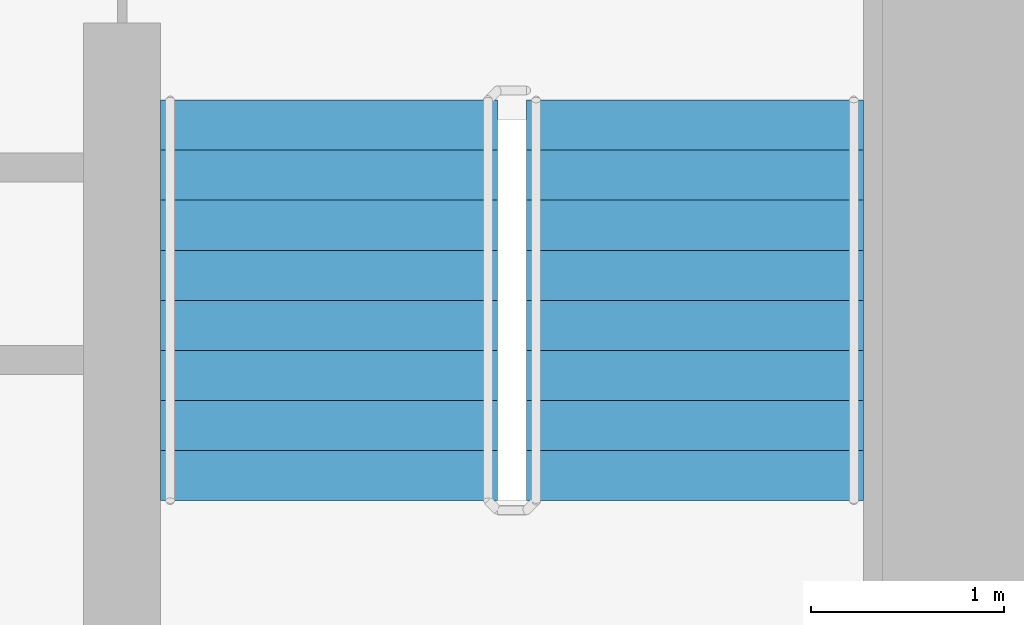
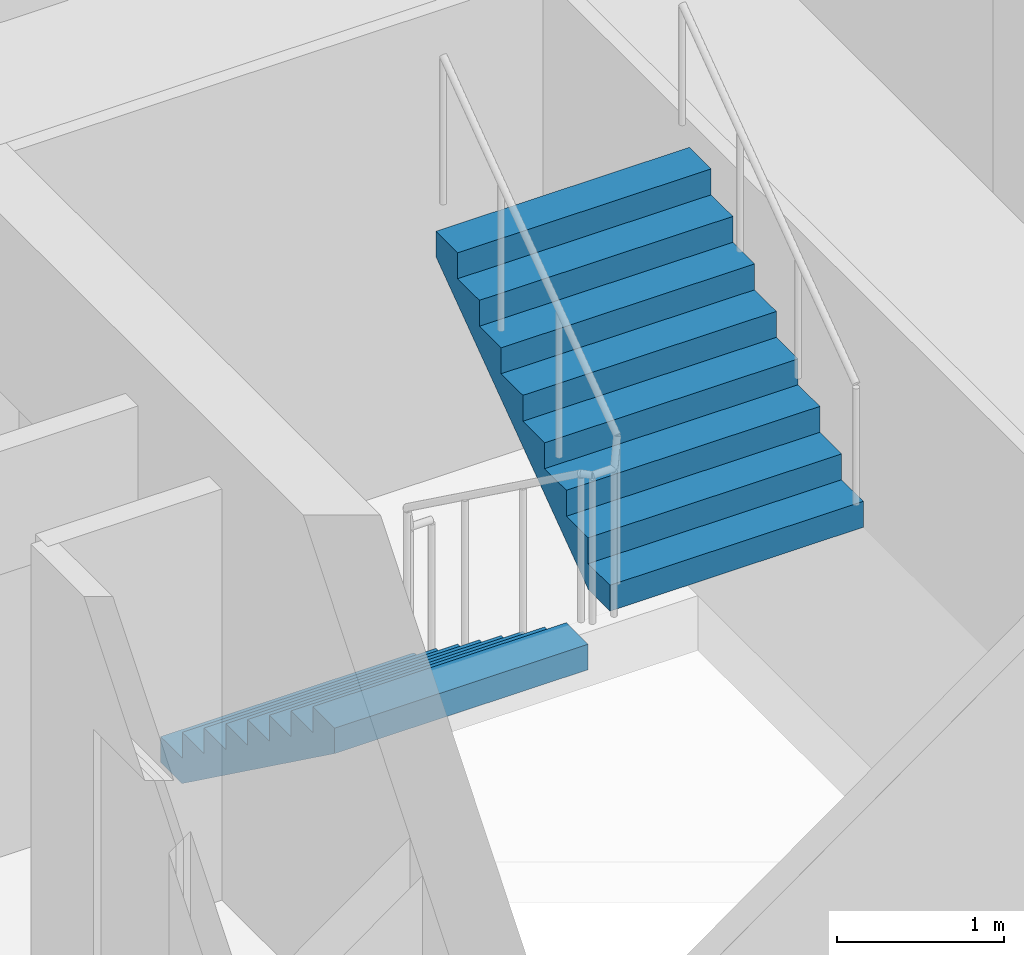
# One storey, part 19 of 23: 2 stair flights, 1 element without a shape of its own.
"""IFC4 building model written with IfcOpenShell, lengths in metres."""

from ifc_helpers import new_model, si_unit, direction, frame, origin, place, context, subcontext, project, spatial, faceted_brep, material, type_object, element, aggregate, save


model = new_model("IFC4")

# Units and contexts
model_context = context("Model", 3, precision=1e-05, world=origin(), true_north=direction((0.0, 1.0)))
body_context = subcontext(model_context, "Body", "Model", "MODEL_VIEW")
ifc_project = project(units=[si_unit("LENGTHUNIT", "METRE"), si_unit("AREAUNIT", "SQUARE_METRE"), si_unit("VOLUMEUNIT", "CUBIC_METRE"), si_unit("PLANEANGLEUNIT", "RADIAN"), si_unit("MASSUNIT", "GRAM", prefix="KILO")], contexts=[model_context])

# Site, building, storey
site_placement = place(None, origin())
site = spatial("IfcSite", under=ifc_project, at=site_placement, CompositionType="ELEMENT")
building_placement = place(site_placement, origin())
building = spatial("IfcBuilding", under=site, at=building_placement, Name="Ipe Terrace Towers", CompositionType="ELEMENT")
storey_placement = place(building_placement, frame((0.0, 0.0, 51.699951171875)))
storey = spatial("IfcBuildingStorey", under=building, at=storey_placement, Name="L13", CompositionType="ELEMENT", Elevation=51.699951171875)

# Stair, stair flights
ifc_material_1 = material(Name="Concrete C30/37", Category="concrete")
stair_type = type_object("IfcStairType", Name="Protected exit stair", PredefinedType="HALF_TURN_STAIR", material=ifc_material_1)
stair_placement = place(storey_placement, origin())
stair = element("IfcStair", 1, at=stair_placement, inside=storey, type_object=stair_type, Name="L13 Exit stair T2-C2", PredefinedType="HALF_TURN_STAIR")
ifc_material_2 = material(Name="Concrete C30/37", Category="concrete")
stair_flight_type = type_object("IfcStairFlightType", Name="Exit stair flight 1750", PredefinedType="STRAIGHT", material=ifc_material_2)
stair_flight_1_placement = place(storey_placement, frame((38.77490234375, -9.699951171875, 0.0), z_axis=(0.0, 0.0, 1.0), x_axis=(0.0, -1.0, 0.0)))
stair_flight_1 = element("IfcStairFlight", 2, at=stair_flight_1_placement, type_object=stair_flight_type, Name="T2-ST2 flight 1", NumberOfRisers=9, NumberOfTreads=8, PredefinedType="STRAIGHT", RiserHeight=0.188888889, TreadLength=0.26, context=body_context, shape_type="Brep", body=[
    faceted_brep([(0.255126953125, -0.875, 0.0), (2.080078125, -0.875, 1.325927734375), (2.080078125, -0.875, 1.51123046875), (1.820068359375, -0.875, 1.51123046875), (1.820068359375, -0.875, 1.322265625), (1.56005859375, -0.875, 1.322265625), (1.56005859375, -0.875, 1.13330078125), (1.300048828125, -0.875, 1.13330078125), (1.300048828125, -0.875, 0.9443359375), (1.0400390625, -0.875, 0.9443359375), (1.0400390625, -0.875, 0.755615234375), (0.780029296875, -0.875, 0.755615234375), (0.780029296875, -0.875, 0.566650390625), (0.52001953125, -0.875, 0.566650390625), (0.52001953125, -0.875, 0.377685546875), (0.260009765625, -0.875, 0.377685546875), (0.260009765625, -0.875, 0.18896484375), (0.0, -0.875, 0.18896484375), (0.0, -0.875, 0.0), (0.0, 0.875, 0.0), (0.0, 0.875, 0.18896484375), (0.260009765625, 0.875, 0.18896484375), (0.260009765625, 0.875, 0.377685546875), (0.52001953125, 0.875, 0.377685546875), (0.52001953125, 0.875, 0.566650390625), (0.780029296875, 0.875, 0.566650390625), (0.780029296875, 0.875, 0.755615234375), (1.0400390625, 0.875, 0.755615234375), (1.0400390625, 0.875, 0.9443359375), (1.300048828125, 0.875, 0.9443359375), (1.300048828125, 0.875, 1.13330078125), (1.56005859375, 0.875, 1.13330078125), (1.56005859375, 0.875, 1.322265625), (1.820068359375, 0.875, 1.322265625), (1.820068359375, 0.875, 1.51123046875), (2.080078125, 0.875, 1.51123046875), (2.080078125, 0.875, 1.325927734375), (0.255126953125, 0.875, 0.0), (0.0, -0.300048828125, 0.18896484375), (0.0, -0.1201171875, 0.18896484375), (0.0, -0.06005859375, 0.18896484375), (0.0, -0.030029296875, 0.18896484375), (0.0, -0.010009765625, 0.18896484375), (0.0, 0.0, 0.18896484375), (0.0, 0.010009765625, 0.18896484375), (0.0, 0.030029296875, 0.18896484375), (0.0, 0.06005859375, 0.18896484375), (0.0, 0.1201171875, 0.18896484375), (0.0, 0.300048828125, 0.18896484375), (0.0, 0.300048828125, 0.0), (0.0, 0.1201171875, 0.0), (0.0, 0.06005859375, 0.0), (0.0, 0.030029296875, 0.0), (0.0, 0.010009765625, 0.0), (0.0, 0.0, 0.0), (0.0, -0.010009765625, 0.0), (0.0, -0.030029296875, 0.0), (0.0, -0.06005859375, 0.0), (0.0, -0.1201171875, 0.0), (0.0, -0.300048828125, 0.0), (0.260009765625, -0.300048828125, 0.18896484375), (0.260009765625, -0.1201171875, 0.18896484375), (0.260009765625, -0.06005859375, 0.18896484375), (0.260009765625, -0.030029296875, 0.18896484375), (0.260009765625, -0.010009765625, 0.18896484375), (0.260009765625, 0.0, 0.18896484375), (0.260009765625, 0.010009765625, 0.18896484375), (0.260009765625, 0.030029296875, 0.18896484375), (0.260009765625, 0.06005859375, 0.18896484375), (0.260009765625, 0.1201171875, 0.18896484375), (0.260009765625, 0.300048828125, 0.18896484375), (0.260009765625, -0.300048828125, 0.377685546875), (0.260009765625, -0.1201171875, 0.377685546875), (0.260009765625, -0.06005859375, 0.377685546875), (0.260009765625, -0.030029296875, 0.377685546875), (0.260009765625, -0.010009765625, 0.377685546875), (0.260009765625, 0.0, 0.377685546875), (0.260009765625, 0.010009765625, 0.377685546875), (0.260009765625, 0.030029296875, 0.377685546875), (0.260009765625, 0.06005859375, 0.377685546875), (0.260009765625, 0.1201171875, 0.377685546875), (0.260009765625, 0.300048828125, 0.377685546875), (0.52001953125, -0.300048828125, 0.377685546875), (0.52001953125, -0.1201171875, 0.377685546875), (0.52001953125, -0.06005859375, 0.377685546875), (0.52001953125, -0.030029296875, 0.377685546875), (0.52001953125, -0.010009765625, 0.377685546875), (0.52001953125, 0.0, 0.377685546875), (0.52001953125, 0.010009765625, 0.377685546875), (0.52001953125, 0.030029296875, 0.377685546875), (0.52001953125, 0.06005859375, 0.377685546875), (0.52001953125, 0.1201171875, 0.377685546875), (0.52001953125, 0.300048828125, 0.377685546875), (0.52001953125, -0.300048828125, 0.566650390625), (0.52001953125, -0.1201171875, 0.566650390625), (0.52001953125, -0.06005859375, 0.566650390625), (0.52001953125, -0.030029296875, 0.566650390625), (0.52001953125, -0.010009765625, 0.566650390625), (0.52001953125, 0.0, 0.566650390625), (0.52001953125, 0.010009765625, 0.566650390625), (0.52001953125, 0.030029296875, 0.566650390625), (0.52001953125, 0.06005859375, 0.566650390625), (0.52001953125, 0.1201171875, 0.566650390625), (0.52001953125, 0.300048828125, 0.566650390625), (0.780029296875, -0.300048828125, 0.566650390625), (0.780029296875, -0.1201171875, 0.566650390625), (0.780029296875, -0.06005859375, 0.566650390625), (0.780029296875, -0.030029296875, 0.566650390625), (0.780029296875, -0.010009765625, 0.566650390625), (0.780029296875, 0.0, 0.566650390625), (0.780029296875, 0.010009765625, 0.566650390625), (0.780029296875, 0.030029296875, 0.566650390625), (0.780029296875, 0.06005859375, 0.566650390625), (0.780029296875, 0.1201171875, 0.566650390625), (0.780029296875, 0.300048828125, 0.566650390625), (0.780029296875, -0.300048828125, 0.755615234375), (0.780029296875, -0.1201171875, 0.755615234375), (0.780029296875, -0.06005859375, 0.755615234375), (0.780029296875, -0.030029296875, 0.755615234375), (0.780029296875, -0.010009765625, 0.755615234375), (0.780029296875, 0.0, 0.755615234375), (0.780029296875, 0.010009765625, 0.755615234375), (0.780029296875, 0.030029296875, 0.755615234375), (0.780029296875, 0.06005859375, 0.755615234375), (0.780029296875, 0.1201171875, 0.755615234375), (0.780029296875, 0.300048828125, 0.755615234375), (1.0400390625, -0.300048828125, 0.755615234375), (1.0400390625, -0.1201171875, 0.755615234375), (1.0400390625, -0.06005859375, 0.755615234375), (1.0400390625, -0.030029296875, 0.755615234375), (1.0400390625, -0.010009765625, 0.755615234375), (1.0400390625, 0.0, 0.755615234375), (1.0400390625, 0.010009765625, 0.755615234375), (1.0400390625, 0.030029296875, 0.755615234375), (1.0400390625, 0.06005859375, 0.755615234375), (1.0400390625, 0.1201171875, 0.755615234375), (1.0400390625, 0.300048828125, 0.755615234375), (1.0400390625, -0.300048828125, 0.9443359375), (1.0400390625, -0.1201171875, 0.9443359375), (1.0400390625, -0.06005859375, 0.9443359375), (1.0400390625, -0.030029296875, 0.9443359375), (1.0400390625, -0.010009765625, 0.9443359375), (1.0400390625, 0.0, 0.9443359375), (1.0400390625, 0.010009765625, 0.9443359375), (1.0400390625, 0.030029296875, 0.9443359375), (1.0400390625, 0.06005859375, 0.9443359375), (1.0400390625, 0.1201171875, 0.9443359375), (1.0400390625, 0.300048828125, 0.9443359375), (1.300048828125, -0.300048828125, 0.9443359375), (1.300048828125, -0.1201171875, 0.9443359375), (1.300048828125, -0.06005859375, 0.9443359375), (1.300048828125, -0.030029296875, 0.9443359375), (1.300048828125, -0.010009765625, 0.9443359375), (1.300048828125, 0.0, 0.9443359375), (1.300048828125, 0.010009765625, 0.9443359375), (1.300048828125, 0.030029296875, 0.9443359375), (1.300048828125, 0.06005859375, 0.9443359375), (1.300048828125, 0.1201171875, 0.9443359375), (1.300048828125, 0.300048828125, 0.9443359375), (1.300048828125, -0.300048828125, 1.13330078125), (1.300048828125, -0.1201171875, 1.13330078125), (1.300048828125, -0.06005859375, 1.13330078125), (1.300048828125, -0.030029296875, 1.13330078125), (1.300048828125, -0.010009765625, 1.13330078125), (1.300048828125, 0.0, 1.13330078125), (1.300048828125, 0.010009765625, 1.13330078125), (1.300048828125, 0.030029296875, 1.13330078125), (1.300048828125, 0.06005859375, 1.13330078125), (1.300048828125, 0.1201171875, 1.13330078125), (1.300048828125, 0.300048828125, 1.13330078125), (1.56005859375, -0.300048828125, 1.13330078125), (1.56005859375, -0.1201171875, 1.13330078125), (1.56005859375, -0.06005859375, 1.13330078125), (1.56005859375, -0.030029296875, 1.13330078125), (1.56005859375, -0.010009765625, 1.13330078125), (1.56005859375, 0.0, 1.13330078125), (1.56005859375, 0.010009765625, 1.13330078125), (1.56005859375, 0.030029296875, 1.13330078125), (1.56005859375, 0.06005859375, 1.13330078125), (1.56005859375, 0.1201171875, 1.13330078125), (1.56005859375, 0.300048828125, 1.13330078125), (1.56005859375, -0.300048828125, 1.322265625), (1.56005859375, -0.1201171875, 1.322265625), (1.56005859375, -0.06005859375, 1.322265625), (1.56005859375, -0.030029296875, 1.322265625), (1.56005859375, -0.010009765625, 1.322265625), (1.56005859375, 0.0, 1.322265625), (1.56005859375, 0.010009765625, 1.322265625), (1.56005859375, 0.030029296875, 1.322265625), (1.56005859375, 0.06005859375, 1.322265625), (1.56005859375, 0.1201171875, 1.322265625), (1.56005859375, 0.300048828125, 1.322265625), (1.820068359375, -0.300048828125, 1.322265625), (1.820068359375, -0.1201171875, 1.322265625), (1.820068359375, -0.06005859375, 1.322265625), (1.820068359375, -0.030029296875, 1.322265625), (1.820068359375, -0.010009765625, 1.322265625), (1.820068359375, 0.0, 1.322265625), (1.820068359375, 0.010009765625, 1.322265625), (1.820068359375, 0.030029296875, 1.322265625), (1.820068359375, 0.06005859375, 1.322265625), (1.820068359375, 0.1201171875, 1.322265625), (1.820068359375, 0.300048828125, 1.322265625), (1.820068359375, -0.300048828125, 1.51123046875), (1.820068359375, -0.1201171875, 1.51123046875), (1.820068359375, -0.06005859375, 1.51123046875), (1.820068359375, -0.030029296875, 1.51123046875), (1.820068359375, -0.010009765625, 1.51123046875), (1.820068359375, 0.0, 1.51123046875), (1.820068359375, 0.010009765625, 1.51123046875), (1.820068359375, 0.030029296875, 1.51123046875), (1.820068359375, 0.06005859375, 1.51123046875), (1.820068359375, 0.1201171875, 1.51123046875), (1.820068359375, 0.300048828125, 1.51123046875), (2.080078125, -0.300048828125, 1.51123046875), (2.080078125, -0.1201171875, 1.51123046875), (2.080078125, -0.06005859375, 1.51123046875), (2.080078125, -0.030029296875, 1.51123046875), (2.080078125, -0.010009765625, 1.51123046875), (2.080078125, 0.0, 1.51123046875), (2.080078125, 0.010009765625, 1.51123046875), (2.080078125, 0.030029296875, 1.51123046875), (2.080078125, 0.06005859375, 1.51123046875), (2.080078125, 0.1201171875, 1.51123046875), (2.080078125, 0.300048828125, 1.51123046875), (2.080078125, -0.300048828125, 1.325927734375), (2.080078125, -0.1201171875, 1.325927734375), (2.080078125, -0.06005859375, 1.325927734375), (2.080078125, -0.030029296875, 1.325927734375), (2.080078125, -0.010009765625, 1.325927734375), (2.080078125, 0.0, 1.325927734375), (2.080078125, 0.010009765625, 1.325927734375), (2.080078125, 0.030029296875, 1.325927734375), (2.080078125, 0.06005859375, 1.325927734375), (2.080078125, 0.1201171875, 1.325927734375), (2.080078125, 0.300048828125, 1.325927734375), (0.255126953125, -0.300048828125, 0.0), (0.255126953125, -0.1201171875, 0.0), (0.255126953125, -0.06005859375, 0.0), (0.255126953125, -0.030029296875, 0.0), (0.255126953125, -0.010009765625, 0.0), (0.255126953125, 0.0, 0.0), (0.255126953125, 0.010009765625, 0.0), (0.255126953125, 0.030029296875, 0.0), (0.255126953125, 0.06005859375, 0.0), (0.255126953125, 0.1201171875, 0.0), (0.255126953125, 0.300048828125, 0.0)], [[[0, 1, 2, 3, 4, 5, 6, 7, 8, 9, 10, 11, 12, 13, 14, 15, 16, 17, 18]], [[19, 20, 21, 22, 23, 24, 25, 26, 27, 28, 29, 30, 31, 32, 33, 34, 35, 36, 37]], [[17, 38, 39, 40, 41, 42, 43, 44, 45, 46, 47, 48, 20, 19, 49, 50, 51, 52, 53, 54, 55, 56, 57, 58, 59, 18]], [[16, 60, 61, 62, 63, 64, 65, 66, 67, 68, 69, 70, 21, 20, 48, 47, 46, 45, 44, 43, 42, 41, 40, 39, 38, 17]], [[15, 71, 72, 73, 74, 75, 76, 77, 78, 79, 80, 81, 22, 21, 70, 69, 68, 67, 66, 65, 64, 63, 62, 61, 60, 16]], [[14, 82, 83, 84, 85, 86, 87, 88, 89, 90, 91, 92, 23, 22, 81, 80, 79, 78, 77, 76, 75, 74, 73, 72, 71, 15]], [[13, 93, 94, 95, 96, 97, 98, 99, 100, 101, 102, 103, 24, 23, 92, 91, 90, 89, 88, 87, 86, 85, 84, 83, 82, 14]], [[12, 104, 105, 106, 107, 108, 109, 110, 111, 112, 113, 114, 25, 24, 103, 102, 101, 100, 99, 98, 97, 96, 95, 94, 93, 13]], [[11, 115, 116, 117, 118, 119, 120, 121, 122, 123, 124, 125, 26, 25, 114, 113, 112, 111, 110, 109, 108, 107, 106, 105, 104, 12]], [[10, 126, 127, 128, 129, 130, 131, 132, 133, 134, 135, 136, 27, 26, 125, 124, 123, 122, 121, 120, 119, 118, 117, 116, 115, 11]], [[9, 137, 138, 139, 140, 141, 142, 143, 144, 145, 146, 147, 28, 27, 136, 135, 134, 133, 132, 131, 130, 129, 128, 127, 126, 10]], [[8, 148, 149, 150, 151, 152, 153, 154, 155, 156, 157, 158, 29, 28, 147, 146, 145, 144, 143, 142, 141, 140, 139, 138, 137, 9]], [[7, 159, 160, 161, 162, 163, 164, 165, 166, 167, 168, 169, 30, 29, 158, 157, 156, 155, 154, 153, 152, 151, 150, 149, 148, 8]], [[6, 170, 171, 172, 173, 174, 175, 176, 177, 178, 179, 180, 31, 30, 169, 168, 167, 166, 165, 164, 163, 162, 161, 160, 159, 7]], [[5, 181, 182, 183, 184, 185, 186, 187, 188, 189, 190, 191, 32, 31, 180, 179, 178, 177, 176, 175, 174, 173, 172, 171, 170, 6]], [[4, 192, 193, 194, 195, 196, 197, 198, 199, 200, 201, 202, 33, 32, 191, 190, 189, 188, 187, 186, 185, 184, 183, 182, 181, 5]], [[3, 203, 204, 205, 206, 207, 208, 209, 210, 211, 212, 213, 34, 33, 202, 201, 200, 199, 198, 197, 196, 195, 194, 193, 192, 4]], [[2, 214, 215, 216, 217, 218, 219, 220, 221, 222, 223, 224, 35, 34, 213, 212, 211, 210, 209, 208, 207, 206, 205, 204, 203, 3]], [[1, 225, 226, 227, 228, 229, 230, 231, 232, 233, 234, 235, 36, 35, 224, 223, 222, 221, 220, 219, 218, 217, 216, 215, 214, 2]], [[0, 236, 237, 238, 239, 240, 241, 242, 243, 244, 245, 246, 37, 36, 235, 234, 233, 232, 231, 230, 229, 228, 227, 226, 225, 1]], [[18, 59, 58, 57, 56, 55, 54, 53, 52, 51, 50, 49, 19, 37, 246, 245, 244, 243, 242, 241, 240, 239, 238, 237, 236, 0]]]),
])
stair_flight_2_placement = place(storey_placement, frame((40.675048828125, -11.780029296875, 1.699951171875), z_axis=(0.0, 0.0, 1.0), x_axis=(0.0, 1.0, 0.0)))
stair_flight_2 = element("IfcStairFlight", 3, at=stair_flight_2_placement, type_object=stair_flight_type, Name="T2-ST2 flight 2", NumberOfRisers=9, NumberOfTreads=8, PredefinedType="STRAIGHT", RiserHeight=0.188888889, TreadLength=0.26, context=body_context, shape_type="Brep", body=[
    faceted_brep([(0.255126953125, -0.875, 0.0), (2.080078125, -0.875, 1.325927734375), (2.080078125, -0.875, 1.51123046875), (1.820068359375, -0.875, 1.51123046875), (1.820068359375, -0.875, 1.322265625), (1.56005859375, -0.875, 1.322265625), (1.56005859375, -0.875, 1.13330078125), (1.300048828125, -0.875, 1.13330078125), (1.300048828125, -0.875, 0.9443359375), (1.0400390625, -0.875, 0.9443359375), (1.0400390625, -0.875, 0.755615234375), (0.780029296875, -0.875, 0.755615234375), (0.780029296875, -0.875, 0.566650390625), (0.52001953125, -0.875, 0.566650390625), (0.52001953125, -0.875, 0.377685546875), (0.260009765625, -0.875, 0.377685546875), (0.260009765625, -0.875, 0.18896484375), (0.0, -0.875, 0.18896484375), (0.0, -0.875, 0.0), (0.0, 0.875, 0.0), (0.0, 0.875, 0.18896484375), (0.260009765625, 0.875, 0.18896484375), (0.260009765625, 0.875, 0.377685546875), (0.52001953125, 0.875, 0.377685546875), (0.52001953125, 0.875, 0.566650390625), (0.780029296875, 0.875, 0.566650390625), (0.780029296875, 0.875, 0.755615234375), (1.0400390625, 0.875, 0.755615234375), (1.0400390625, 0.875, 0.9443359375), (1.300048828125, 0.875, 0.9443359375), (1.300048828125, 0.875, 1.13330078125), (1.56005859375, 0.875, 1.13330078125), (1.56005859375, 0.875, 1.322265625), (1.820068359375, 0.875, 1.322265625), (1.820068359375, 0.875, 1.51123046875), (2.080078125, 0.875, 1.51123046875), (2.080078125, 0.875, 1.325927734375), (0.255126953125, 0.875, 0.0), (0.0, -0.300048828125, 0.18896484375), (0.0, -0.1201171875, 0.18896484375), (0.0, -0.06005859375, 0.18896484375), (0.0, -0.030029296875, 0.18896484375), (0.0, -0.010009765625, 0.18896484375), (0.0, 0.0, 0.18896484375), (0.0, 0.010009765625, 0.18896484375), (0.0, 0.030029296875, 0.18896484375), (0.0, 0.06005859375, 0.18896484375), (0.0, 0.1201171875, 0.18896484375), (0.0, 0.300048828125, 0.18896484375), (0.0, 0.300048828125, 0.0), (0.0, 0.1201171875, 0.0), (0.0, 0.06005859375, 0.0), (0.0, 0.030029296875, 0.0), (0.0, 0.010009765625, 0.0), (0.0, 0.0, 0.0), (0.0, -0.010009765625, 0.0), (0.0, -0.030029296875, 0.0), (0.0, -0.06005859375, 0.0), (0.0, -0.1201171875, 0.0), (0.0, -0.300048828125, 0.0), (0.260009765625, -0.300048828125, 0.18896484375), (0.260009765625, -0.1201171875, 0.18896484375), (0.260009765625, -0.06005859375, 0.18896484375), (0.260009765625, -0.030029296875, 0.18896484375), (0.260009765625, -0.010009765625, 0.18896484375), (0.260009765625, 0.0, 0.18896484375), (0.260009765625, 0.010009765625, 0.18896484375), (0.260009765625, 0.030029296875, 0.18896484375), (0.260009765625, 0.06005859375, 0.18896484375), (0.260009765625, 0.1201171875, 0.18896484375), (0.260009765625, 0.300048828125, 0.18896484375), (0.260009765625, -0.300048828125, 0.377685546875), (0.260009765625, -0.1201171875, 0.377685546875), (0.260009765625, -0.06005859375, 0.377685546875), (0.260009765625, -0.030029296875, 0.377685546875), (0.260009765625, -0.010009765625, 0.377685546875), (0.260009765625, 0.0, 0.377685546875), (0.260009765625, 0.010009765625, 0.377685546875), (0.260009765625, 0.030029296875, 0.377685546875), (0.260009765625, 0.06005859375, 0.377685546875), (0.260009765625, 0.1201171875, 0.377685546875), (0.260009765625, 0.300048828125, 0.377685546875), (0.52001953125, -0.300048828125, 0.377685546875), (0.52001953125, -0.1201171875, 0.377685546875), (0.52001953125, -0.06005859375, 0.377685546875), (0.52001953125, -0.030029296875, 0.377685546875), (0.52001953125, -0.010009765625, 0.377685546875), (0.52001953125, 0.0, 0.377685546875), (0.52001953125, 0.010009765625, 0.377685546875), (0.52001953125, 0.030029296875, 0.377685546875), (0.52001953125, 0.06005859375, 0.377685546875), (0.52001953125, 0.1201171875, 0.377685546875), (0.52001953125, 0.300048828125, 0.377685546875), (0.52001953125, -0.300048828125, 0.566650390625), (0.52001953125, -0.1201171875, 0.566650390625), (0.52001953125, -0.06005859375, 0.566650390625), (0.52001953125, -0.030029296875, 0.566650390625), (0.52001953125, -0.010009765625, 0.566650390625), (0.52001953125, 0.0, 0.566650390625), (0.52001953125, 0.010009765625, 0.566650390625), (0.52001953125, 0.030029296875, 0.566650390625), (0.52001953125, 0.06005859375, 0.566650390625), (0.52001953125, 0.1201171875, 0.566650390625), (0.52001953125, 0.300048828125, 0.566650390625), (0.780029296875, -0.300048828125, 0.566650390625), (0.780029296875, -0.1201171875, 0.566650390625), (0.780029296875, -0.06005859375, 0.566650390625), (0.780029296875, -0.030029296875, 0.566650390625), (0.780029296875, -0.010009765625, 0.566650390625), (0.780029296875, 0.0, 0.566650390625), (0.780029296875, 0.010009765625, 0.566650390625), (0.780029296875, 0.030029296875, 0.566650390625), (0.780029296875, 0.06005859375, 0.566650390625), (0.780029296875, 0.1201171875, 0.566650390625), (0.780029296875, 0.300048828125, 0.566650390625), (0.780029296875, -0.300048828125, 0.755615234375), (0.780029296875, -0.1201171875, 0.755615234375), (0.780029296875, -0.06005859375, 0.755615234375), (0.780029296875, -0.030029296875, 0.755615234375), (0.780029296875, -0.010009765625, 0.755615234375), (0.780029296875, 0.0, 0.755615234375), (0.780029296875, 0.010009765625, 0.755615234375), (0.780029296875, 0.030029296875, 0.755615234375), (0.780029296875, 0.06005859375, 0.755615234375), (0.780029296875, 0.1201171875, 0.755615234375), (0.780029296875, 0.300048828125, 0.755615234375), (1.0400390625, -0.300048828125, 0.755615234375), (1.0400390625, -0.1201171875, 0.755615234375), (1.0400390625, -0.06005859375, 0.755615234375), (1.0400390625, -0.030029296875, 0.755615234375), (1.0400390625, -0.010009765625, 0.755615234375), (1.0400390625, 0.0, 0.755615234375), (1.0400390625, 0.010009765625, 0.755615234375), (1.0400390625, 0.030029296875, 0.755615234375), (1.0400390625, 0.06005859375, 0.755615234375), (1.0400390625, 0.1201171875, 0.755615234375), (1.0400390625, 0.300048828125, 0.755615234375), (1.0400390625, -0.300048828125, 0.9443359375), (1.0400390625, -0.1201171875, 0.9443359375), (1.0400390625, -0.06005859375, 0.9443359375), (1.0400390625, -0.030029296875, 0.9443359375), (1.0400390625, -0.010009765625, 0.9443359375), (1.0400390625, 0.0, 0.9443359375), (1.0400390625, 0.010009765625, 0.9443359375), (1.0400390625, 0.030029296875, 0.9443359375), (1.0400390625, 0.06005859375, 0.9443359375), (1.0400390625, 0.1201171875, 0.9443359375), (1.0400390625, 0.300048828125, 0.9443359375), (1.300048828125, -0.300048828125, 0.9443359375), (1.300048828125, -0.1201171875, 0.9443359375), (1.300048828125, -0.06005859375, 0.9443359375), (1.300048828125, -0.030029296875, 0.9443359375), (1.300048828125, -0.010009765625, 0.9443359375), (1.300048828125, 0.0, 0.9443359375), (1.300048828125, 0.010009765625, 0.9443359375), (1.300048828125, 0.030029296875, 0.9443359375), (1.300048828125, 0.06005859375, 0.9443359375), (1.300048828125, 0.1201171875, 0.9443359375), (1.300048828125, 0.300048828125, 0.9443359375), (1.300048828125, -0.300048828125, 1.13330078125), (1.300048828125, -0.1201171875, 1.13330078125), (1.300048828125, -0.06005859375, 1.13330078125), (1.300048828125, -0.030029296875, 1.13330078125), (1.300048828125, -0.010009765625, 1.13330078125), (1.300048828125, 0.0, 1.13330078125), (1.300048828125, 0.010009765625, 1.13330078125), (1.300048828125, 0.030029296875, 1.13330078125), (1.300048828125, 0.06005859375, 1.13330078125), (1.300048828125, 0.1201171875, 1.13330078125), (1.300048828125, 0.300048828125, 1.13330078125), (1.56005859375, -0.300048828125, 1.13330078125), (1.56005859375, -0.1201171875, 1.13330078125), (1.56005859375, -0.06005859375, 1.13330078125), (1.56005859375, -0.030029296875, 1.13330078125), (1.56005859375, -0.010009765625, 1.13330078125), (1.56005859375, 0.0, 1.13330078125), (1.56005859375, 0.010009765625, 1.13330078125), (1.56005859375, 0.030029296875, 1.13330078125), (1.56005859375, 0.06005859375, 1.13330078125), (1.56005859375, 0.1201171875, 1.13330078125), (1.56005859375, 0.300048828125, 1.13330078125), (1.56005859375, -0.300048828125, 1.322265625), (1.56005859375, -0.1201171875, 1.322265625), (1.56005859375, -0.06005859375, 1.322265625), (1.56005859375, -0.030029296875, 1.322265625), (1.56005859375, -0.010009765625, 1.322265625), (1.56005859375, 0.0, 1.322265625), (1.56005859375, 0.010009765625, 1.322265625), (1.56005859375, 0.030029296875, 1.322265625), (1.56005859375, 0.06005859375, 1.322265625), (1.56005859375, 0.1201171875, 1.322265625), (1.56005859375, 0.300048828125, 1.322265625), (1.820068359375, -0.300048828125, 1.322265625), (1.820068359375, -0.1201171875, 1.322265625), (1.820068359375, -0.06005859375, 1.322265625), (1.820068359375, -0.030029296875, 1.322265625), (1.820068359375, -0.010009765625, 1.322265625), (1.820068359375, 0.0, 1.322265625), (1.820068359375, 0.010009765625, 1.322265625), (1.820068359375, 0.030029296875, 1.322265625), (1.820068359375, 0.06005859375, 1.322265625), (1.820068359375, 0.1201171875, 1.322265625), (1.820068359375, 0.300048828125, 1.322265625), (1.820068359375, -0.300048828125, 1.51123046875), (1.820068359375, -0.1201171875, 1.51123046875), (1.820068359375, -0.06005859375, 1.51123046875), (1.820068359375, -0.030029296875, 1.51123046875), (1.820068359375, -0.010009765625, 1.51123046875), (1.820068359375, 0.0, 1.51123046875), (1.820068359375, 0.010009765625, 1.51123046875), (1.820068359375, 0.030029296875, 1.51123046875), (1.820068359375, 0.06005859375, 1.51123046875), (1.820068359375, 0.1201171875, 1.51123046875), (1.820068359375, 0.300048828125, 1.51123046875), (2.080078125, -0.300048828125, 1.51123046875), (2.080078125, -0.1201171875, 1.51123046875), (2.080078125, -0.06005859375, 1.51123046875), (2.080078125, -0.030029296875, 1.51123046875), (2.080078125, -0.010009765625, 1.51123046875), (2.080078125, 0.0, 1.51123046875), (2.080078125, 0.010009765625, 1.51123046875), (2.080078125, 0.030029296875, 1.51123046875), (2.080078125, 0.06005859375, 1.51123046875), (2.080078125, 0.1201171875, 1.51123046875), (2.080078125, 0.300048828125, 1.51123046875), (2.080078125, -0.300048828125, 1.325927734375), (2.080078125, -0.1201171875, 1.325927734375), (2.080078125, -0.06005859375, 1.325927734375), (2.080078125, -0.030029296875, 1.325927734375), (2.080078125, -0.010009765625, 1.325927734375), (2.080078125, 0.0, 1.325927734375), (2.080078125, 0.010009765625, 1.325927734375), (2.080078125, 0.030029296875, 1.325927734375), (2.080078125, 0.06005859375, 1.325927734375), (2.080078125, 0.1201171875, 1.325927734375), (2.080078125, 0.300048828125, 1.325927734375), (0.255126953125, -0.300048828125, 0.0), (0.255126953125, -0.1201171875, 0.0), (0.255126953125, -0.06005859375, 0.0), (0.255126953125, -0.030029296875, 0.0), (0.255126953125, -0.010009765625, 0.0), (0.255126953125, 0.0, 0.0), (0.255126953125, 0.010009765625, 0.0), (0.255126953125, 0.030029296875, 0.0), (0.255126953125, 0.06005859375, 0.0), (0.255126953125, 0.1201171875, 0.0), (0.255126953125, 0.300048828125, 0.0)], [[[0, 1, 2, 3, 4, 5, 6, 7, 8, 9, 10, 11, 12, 13, 14, 15, 16, 17, 18]], [[19, 20, 21, 22, 23, 24, 25, 26, 27, 28, 29, 30, 31, 32, 33, 34, 35, 36, 37]], [[17, 38, 39, 40, 41, 42, 43, 44, 45, 46, 47, 48, 20, 19, 49, 50, 51, 52, 53, 54, 55, 56, 57, 58, 59, 18]], [[16, 60, 61, 62, 63, 64, 65, 66, 67, 68, 69, 70, 21, 20, 48, 47, 46, 45, 44, 43, 42, 41, 40, 39, 38, 17]], [[15, 71, 72, 73, 74, 75, 76, 77, 78, 79, 80, 81, 22, 21, 70, 69, 68, 67, 66, 65, 64, 63, 62, 61, 60, 16]], [[14, 82, 83, 84, 85, 86, 87, 88, 89, 90, 91, 92, 23, 22, 81, 80, 79, 78, 77, 76, 75, 74, 73, 72, 71, 15]], [[13, 93, 94, 95, 96, 97, 98, 99, 100, 101, 102, 103, 24, 23, 92, 91, 90, 89, 88, 87, 86, 85, 84, 83, 82, 14]], [[12, 104, 105, 106, 107, 108, 109, 110, 111, 112, 113, 114, 25, 24, 103, 102, 101, 100, 99, 98, 97, 96, 95, 94, 93, 13]], [[11, 115, 116, 117, 118, 119, 120, 121, 122, 123, 124, 125, 26, 25, 114, 113, 112, 111, 110, 109, 108, 107, 106, 105, 104, 12]], [[10, 126, 127, 128, 129, 130, 131, 132, 133, 134, 135, 136, 27, 26, 125, 124, 123, 122, 121, 120, 119, 118, 117, 116, 115, 11]], [[9, 137, 138, 139, 140, 141, 142, 143, 144, 145, 146, 147, 28, 27, 136, 135, 134, 133, 132, 131, 130, 129, 128, 127, 126, 10]], [[8, 148, 149, 150, 151, 152, 153, 154, 155, 156, 157, 158, 29, 28, 147, 146, 145, 144, 143, 142, 141, 140, 139, 138, 137, 9]], [[7, 159, 160, 161, 162, 163, 164, 165, 166, 167, 168, 169, 30, 29, 158, 157, 156, 155, 154, 153, 152, 151, 150, 149, 148, 8]], [[6, 170, 171, 172, 173, 174, 175, 176, 177, 178, 179, 180, 31, 30, 169, 168, 167, 166, 165, 164, 163, 162, 161, 160, 159, 7]], [[5, 181, 182, 183, 184, 185, 186, 187, 188, 189, 190, 191, 32, 31, 180, 179, 178, 177, 176, 175, 174, 173, 172, 171, 170, 6]], [[4, 192, 193, 194, 195, 196, 197, 198, 199, 200, 201, 202, 33, 32, 191, 190, 189, 188, 187, 186, 185, 184, 183, 182, 181, 5]], [[3, 203, 204, 205, 206, 207, 208, 209, 210, 211, 212, 213, 34, 33, 202, 201, 200, 199, 198, 197, 196, 195, 194, 193, 192, 4]], [[2, 214, 215, 216, 217, 218, 219, 220, 221, 222, 223, 224, 35, 34, 213, 212, 211, 210, 209, 208, 207, 206, 205, 204, 203, 3]], [[1, 225, 226, 227, 228, 229, 230, 231, 232, 233, 234, 235, 36, 35, 224, 223, 222, 221, 220, 219, 218, 217, 216, 215, 214, 2]], [[0, 236, 237, 238, 239, 240, 241, 242, 243, 244, 245, 246, 37, 36, 235, 234, 233, 232, 231, 230, 229, 228, 227, 226, 225, 1]], [[18, 59, 58, 57, 56, 55, 54, 53, 52, 51, 50, 49, 19, 37, 246, 245, 244, 243, 242, 241, 240, 239, 238, 237, 236, 0]]]),
])
aggregate(stair, [stair_flight_1, stair_flight_2])

save(model, "model.ifc")
